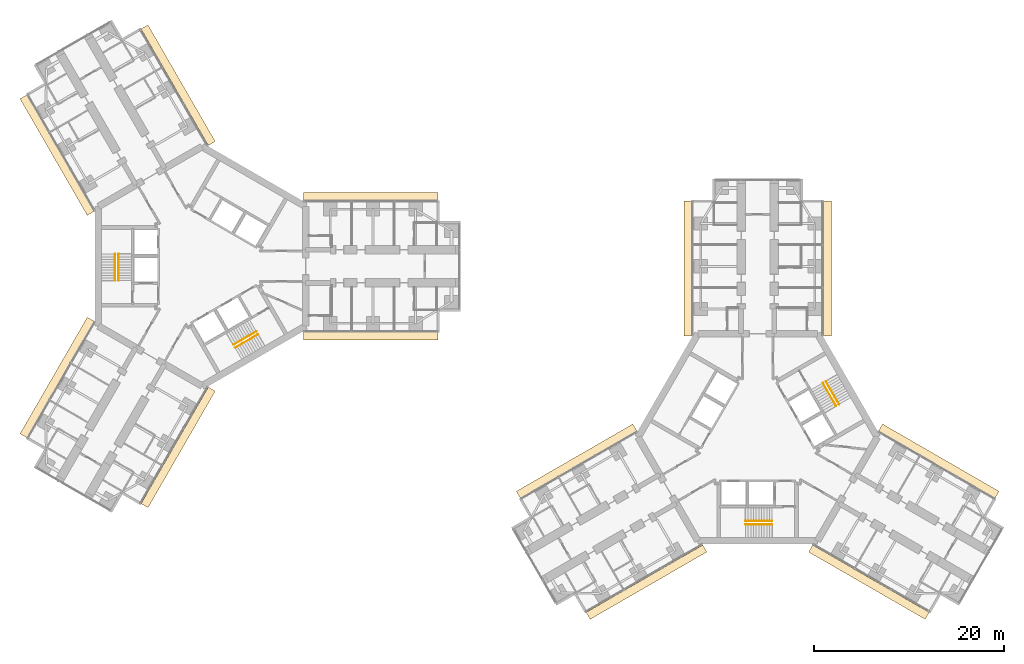
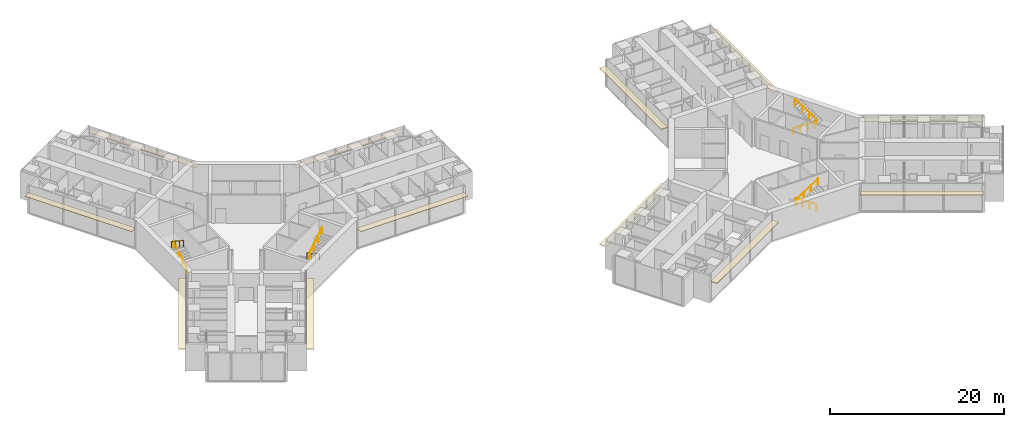
# One storey, part 25 of 25: 12 coverings, 8 railings.
"""IFC4 building model written with IfcOpenShell, lengths in metres."""

from ifc_helpers import new_model, si_unit, direction, frame, origin, origin_2d, place, context, subcontext, project, spatial, rectangle, circle, extrude, material, layer, layer_set, type_object, element, save


model = new_model("IFC4")

# Units and contexts
model_context = context("Model", 3, precision=1e-05, world=origin(), true_north=direction((0.0, 1.0)))
body_context = subcontext(model_context, "Body", "Model", "MODEL_VIEW")
ifc_project = project(units=[si_unit("LENGTHUNIT", "METRE"), si_unit("AREAUNIT", "SQUARE_METRE"), si_unit("VOLUMEUNIT", "CUBIC_METRE"), si_unit("PLANEANGLEUNIT", "RADIAN"), si_unit("MASSUNIT", "GRAM", prefix="KILO")], contexts=[model_context])

# Site, building, storey
site_placement = place(None, origin())
site = spatial("IfcSite", under=ifc_project, at=site_placement, CompositionType="ELEMENT")
building_placement = place(site_placement, origin())
building = spatial("IfcBuilding", under=site, at=building_placement, Name="Upepo Twin Towers", CompositionType="ELEMENT")
storey_placement = place(building_placement, frame((0.0, 0.0, 72.5)))
storey = spatial("IfcBuildingStorey", under=building, at=storey_placement, Name="L17", CompositionType="ELEMENT", Elevation=72.5)

# Coverings
ifc_material_1 = material(Name="Anodised aluminium, pale silver", Category="aluminium")
ifc_layer = layer(ifc_material_1, 0.080078125)
ifc_layer_set = layer_set([ifc_layer], Name="Brise-soleil blade 850 pale aluminium")
covering_type = type_object("IfcCoveringType", Name="Brise-soleil blade 850 pale aluminium", PredefinedType="USERDEFINED", material=ifc_layer_set)
for number, where, z_axis, x_axis, name in (
    (1, (17.7685546875, 7.35498046875, 2.909912109375), (0.0, 0.0, 1.0), (1.0, 0.0, 0.0), "T1 L17 wing A brise-soleil L"),
    (2, (17.7685546875, -7.35498046875, 2.909912109375), (0.0, 0.0, 1.0), (1.0, 0.0, 0.0), "T1 L17 wing A brise-soleil R"),
    (3, (-15.25390625, 11.71044921875, 2.909912109375), (0.0, 0.0, 1.0), (-0.50000003023, 0.866025386331, 0.0), "T1 L17 wing B brise-soleil L"),
    (4, (-2.5146484375, 19.0654296875, 2.909912109375), (0.0, 0.0, 1.0), (-0.50000003023, 0.866025386331, 0.0), "T1 L17 wing B brise-soleil R"),
    (5, (-2.5146484375, -19.0654296875, 2.909912109375), (0.0, 0.0, 1.0), (-0.50000003023, -0.866025386331, 0.0), "T1 L17 wing C brise-soleil L"),
    (6, (-15.25390625, -11.71044921875, 2.909912109375), (0.0, 0.0, 1.0), (-0.50000003023, -0.866025386331, 0.0), "T1 L17 wing C brise-soleil R"),
    (7, (51.14501953125, -0.2314453125, 2.909912109375), (0.0, 0.0, 1.0), (0.0, 1.0, 0.0), "T2 L17 wing A brise-soleil L"),
    (8, (65.85498046875, -0.2314453125, 2.909912109375), (0.0, 0.0, 1.0), (0.0, 1.0, 0.0), "T2 L17 wing A brise-soleil R"),
    (9, (46.78955078125, -33.25390625, 2.909912109375), (0.0, 0.0, 1.0), (-0.866025386331, -0.50000003023, 0.0), "T2 L17 wing B brise-soleil L"),
    (10, (39.4345703125, -20.5146484375, 2.909912109375), (0.0, 0.0, 1.0), (-0.866025386331, -0.50000003023, 0.0), "T2 L17 wing B brise-soleil R"),
    (11, (77.5654296875, -20.5146484375, 2.909912109375), (0.0, 0.0, 1.0), (0.866025386331, -0.50000003023, 0.0), "T2 L17 wing C brise-soleil L"),
    (12, (70.21044921875, -33.25390625, 2.909912109375), (0.0, 0.0, 1.0), (0.866025386331, -0.50000003023, 0.0), "T2 L17 wing C brise-soleil R"),
):
    element("IfcCovering", number, at=place(storey_placement, frame(where, z_axis=z_axis, x_axis=x_axis)), inside=storey, type_object=covering_type, Name=name, ObjectType="SUNSHADE", PredefinedType="USERDEFINED", context=body_context, shape_type="SweptSolid", body=[
        extrude(rectangle(XDim=14.162841796875, YDim=0.85009765625, at=origin_2d()), origin(), (0.0, 0.0, 1.0), 0.080078125),
    ])

# Railings
ifc_material_2 = material(Name="Stainless steel", Category="steel")
railing_type = type_object("IfcRailingType", Name="Stair handrail 900", PredefinedType="HANDRAIL", material=ifc_material_2)
railing_1_placement = place(storey_placement, frame((-8.800048828125, -1.52001953125, 0.181884765625)))
element("IfcRailing", 13, at=railing_1_placement, inside=storey, type_object=railing_type, Name="T1 stair S1 L17 handrail 1", PredefinedType="HANDRAIL", context=body_context, shape_type="SweptSolid", body=[
    extrude(circle(Radius=0.02392578125, at=origin_2d()), frame((0.0, 0.0, 0.8759765625), z_axis=(0.0, 0.838705829183, 0.544584733623), x_axis=(-1.0, 0.0, 0.0)), (0.0, 0.0, 1.0), 3.338623046875),
    extrude(circle(Radius=0.02099609375, at=origin_2d()), origin(), (0.0, 0.0, 1.0), 0.851806640625),
    extrude(circle(Radius=0.02099609375, at=origin_2d()), frame((0.0, 0.933349609375, 0.60595703125)), (0.0, 0.0, 1.0), 0.851806640625),
    extrude(circle(Radius=0.02099609375, at=origin_2d()), frame((0.0, 1.86669921875, 1.212158203125)), (0.0, 0.0, 1.0), 0.851806640625),
    extrude(circle(Radius=0.02099609375, at=origin_2d()), frame((0.0, 2.800048828125, 1.818115234375)), (0.0, 0.0, 1.0), 0.851806640625),
])
railing_2_placement = place(storey_placement, frame((-9.158447265625, 1.280029296875, 2.181884765625)))
element("IfcRailing", 14, at=railing_2_placement, inside=storey, type_object=railing_type, Name="T1 stair S1 L17 handrail 2", PredefinedType="HANDRAIL", context=body_context, shape_type="SweptSolid", body=[
    extrude(circle(Radius=0.02392578125, at=origin_2d()), frame((0.0, 0.0, 0.8759765625), z_axis=(0.0, -0.838705829183, 0.544584733623), x_axis=(1.0, 0.0, 0.0)), (0.0, 0.0, 1.0), 3.338623046875),
    extrude(circle(Radius=0.02099609375, at=origin_2d()), origin(), (0.0, 0.0, 1.0), 0.851806640625),
    extrude(circle(Radius=0.02099609375, at=origin_2d()), frame((0.0, -0.933349609375, 0.60595703125)), (0.0, 0.0, 1.0), 0.851806640625),
    extrude(circle(Radius=0.02099609375, at=origin_2d()), frame((0.0, -1.86669921875, 1.212158203125)), (0.0, 0.0, 1.0), 0.851806640625),
    extrude(circle(Radius=0.02099609375, at=origin_2d()), frame((0.0, -2.800048828125, 1.818115234375)), (0.0, 0.0, 1.0), 0.851806640625),
])
railing_3_placement = place(storey_placement, frame((5.71630859375, -6.861083984375, 0.181884765625)))
element("IfcRailing", 15, at=railing_3_placement, inside=storey, type_object=railing_type, Name="T1 stair S2 L17 handrail 1", PredefinedType="HANDRAIL", context=body_context, shape_type="SweptSolid", body=[
    extrude(circle(Radius=0.02392578125, at=origin_2d()), frame((0.0, 0.0, 0.8759765625), z_axis=(-0.726336304947, -0.419332699614, 0.544605966869), x_axis=(0.49998411664, -0.866034573852, 0.0)), (0.0, 0.0, 1.0), 3.33837890625),
    extrude(circle(Radius=0.02099609375, at=origin_2d()), origin(), (0.0, 0.0, 1.0), 0.851806640625),
    extrude(circle(Radius=0.02099609375, at=origin_2d()), frame((-0.808349609375, -0.466552734375, 0.60595703125)), (0.0, 0.0, 1.0), 0.851806640625),
    extrude(circle(Radius=0.02099609375, at=origin_2d()), frame((-1.616455078125, -0.933349609375, 1.212158203125)), (0.0, 0.0, 1.0), 0.851806640625),
    extrude(circle(Radius=0.02099609375, at=origin_2d()), frame((-2.4248046875, -1.39990234375, 1.818115234375)), (0.0, 0.0, 1.0), 0.851806640625),
])
railing_4_placement = place(storey_placement, frame((3.470703125, -8.5712890625, 2.181884765625)))
element("IfcRailing", 16, at=railing_4_placement, inside=storey, type_object=railing_type, Name="T1 stair S2 L17 handrail 2", PredefinedType="HANDRAIL", context=body_context, shape_type="SweptSolid", body=[
    extrude(circle(Radius=0.02392578125, at=origin_2d()), frame((0.0, 0.0, 0.8759765625), z_axis=(0.726336304947, 0.419332699614, 0.544605966869), x_axis=(-0.49998411664, 0.866034573852, 0.0)), (0.0, 0.0, 1.0), 3.33837890625),
    extrude(circle(Radius=0.02099609375, at=origin_2d()), origin(), (0.0, 0.0, 1.0), 0.851806640625),
    extrude(circle(Radius=0.02099609375, at=origin_2d()), frame((0.808349609375, 0.466552734375, 0.60595703125)), (0.0, 0.0, 1.0), 0.851806640625),
    extrude(circle(Radius=0.02099609375, at=origin_2d()), frame((1.616455078125, 0.933349609375, 1.212158203125)), (0.0, 0.0, 1.0), 0.851806640625),
    extrude(circle(Radius=0.02099609375, at=origin_2d()), frame((2.4248046875, 1.39990234375, 1.818115234375)), (0.0, 0.0, 1.0), 0.851806640625),
])
railing_5_placement = place(storey_placement, frame((60.02001953125, -26.800048828125, 0.181884765625)))
element("IfcRailing", 17, at=railing_5_placement, inside=storey, type_object=railing_type, Name="T2 stair S1 L17 handrail 1", PredefinedType="HANDRAIL", context=body_context, shape_type="SweptSolid", body=[
    extrude(circle(Radius=0.02392578125, at=origin_2d()), frame((0.0, 0.0, 0.8759765625), z_axis=(-0.838705829183, 0.0, 0.544584733623), x_axis=(0.0, -1.0, 0.0)), (0.0, 0.0, 1.0), 3.338623046875),
    extrude(circle(Radius=0.02099609375, at=origin_2d()), origin(), (0.0, 0.0, 1.0), 0.851806640625),
    extrude(circle(Radius=0.02099609375, at=origin_2d()), frame((-0.933349609375, 0.0, 0.60595703125)), (0.0, 0.0, 1.0), 0.851806640625),
    extrude(circle(Radius=0.02099609375, at=origin_2d()), frame((-1.86669921875, 0.0, 1.212158203125)), (0.0, 0.0, 1.0), 0.851806640625),
    extrude(circle(Radius=0.02099609375, at=origin_2d()), frame((-2.800048828125, 0.0, 1.818115234375)), (0.0, 0.0, 1.0), 0.851806640625),
])
railing_6_placement = place(storey_placement, frame((57.219970703125, -27.158447265625, 2.181884765625)))
element("IfcRailing", 18, at=railing_6_placement, inside=storey, type_object=railing_type, Name="T2 stair S1 L17 handrail 2", PredefinedType="HANDRAIL", context=body_context, shape_type="SweptSolid", body=[
    extrude(circle(Radius=0.02392578125, at=origin_2d()), frame((0.0, 0.0, 0.8759765625), z_axis=(0.838705829183, 0.0, 0.544584733623), x_axis=(0.0, 1.0, 0.0)), (0.0, 0.0, 1.0), 3.338623046875),
    extrude(circle(Radius=0.02099609375, at=origin_2d()), origin(), (0.0, 0.0, 1.0), 0.851806640625),
    extrude(circle(Radius=0.02099609375, at=origin_2d()), frame((0.933349609375, 0.0, 0.60595703125)), (0.0, 0.0, 1.0), 0.851806640625),
    extrude(circle(Radius=0.02099609375, at=origin_2d()), frame((1.86669921875, 0.0, 1.212158203125)), (0.0, 0.0, 1.0), 0.851806640625),
    extrude(circle(Radius=0.02099609375, at=origin_2d()), frame((2.800048828125, 0.0, 1.818115234375)), (0.0, 0.0, 1.0), 0.851806640625),
])
railing_7_placement = place(storey_placement, frame((65.361083984375, -12.28369140625, 0.181884765625)))
element("IfcRailing", 19, at=railing_7_placement, inside=storey, type_object=railing_type, Name="T2 stair S2 L17 handrail 1", PredefinedType="HANDRAIL", context=body_context, shape_type="SweptSolid", body=[
    extrude(circle(Radius=0.02392578125, at=origin_2d()), frame((0.0, 0.0, 0.8759765625), z_axis=(0.419332699614, -0.726336304947, 0.544605966869), x_axis=(0.866034573852, 0.49998411664, 0.0)), (0.0, 0.0, 1.0), 3.33837890625),
    extrude(circle(Radius=0.02099609375, at=origin_2d()), origin(), (0.0, 0.0, 1.0), 0.851806640625),
    extrude(circle(Radius=0.02099609375, at=origin_2d()), frame((0.466552734375, -0.808349609375, 0.60595703125)), (0.0, 0.0, 1.0), 0.851806640625),
    extrude(circle(Radius=0.02099609375, at=origin_2d()), frame((0.933349609375, -1.616455078125, 1.212158203125)), (0.0, 0.0, 1.0), 0.851806640625),
    extrude(circle(Radius=0.02099609375, at=origin_2d()), frame((1.39990234375, -2.4248046875, 1.818115234375)), (0.0, 0.0, 1.0), 0.851806640625),
])
railing_8_placement = place(storey_placement, frame((67.0712890625, -14.529296875, 2.181884765625)))
element("IfcRailing", 20, at=railing_8_placement, inside=storey, type_object=railing_type, Name="T2 stair S2 L17 handrail 2", PredefinedType="HANDRAIL", context=body_context, shape_type="SweptSolid", body=[
    extrude(circle(Radius=0.02392578125, at=origin_2d()), frame((0.0, 0.0, 0.8759765625), z_axis=(-0.419332699614, 0.726336304947, 0.544605966869), x_axis=(-0.866034573852, -0.49998411664, 0.0)), (0.0, 0.0, 1.0), 3.33837890625),
    extrude(circle(Radius=0.02099609375, at=origin_2d()), origin(), (0.0, 0.0, 1.0), 0.851806640625),
    extrude(circle(Radius=0.02099609375, at=origin_2d()), frame((-0.466552734375, 0.808349609375, 0.60595703125)), (0.0, 0.0, 1.0), 0.851806640625),
    extrude(circle(Radius=0.02099609375, at=origin_2d()), frame((-0.933349609375, 1.616455078125, 1.212158203125)), (0.0, 0.0, 1.0), 0.851806640625),
    extrude(circle(Radius=0.02099609375, at=origin_2d()), frame((-1.39990234375, 2.4248046875, 1.818115234375)), (0.0, 0.0, 1.0), 0.851806640625),
])

save(model, "model.ifc")
